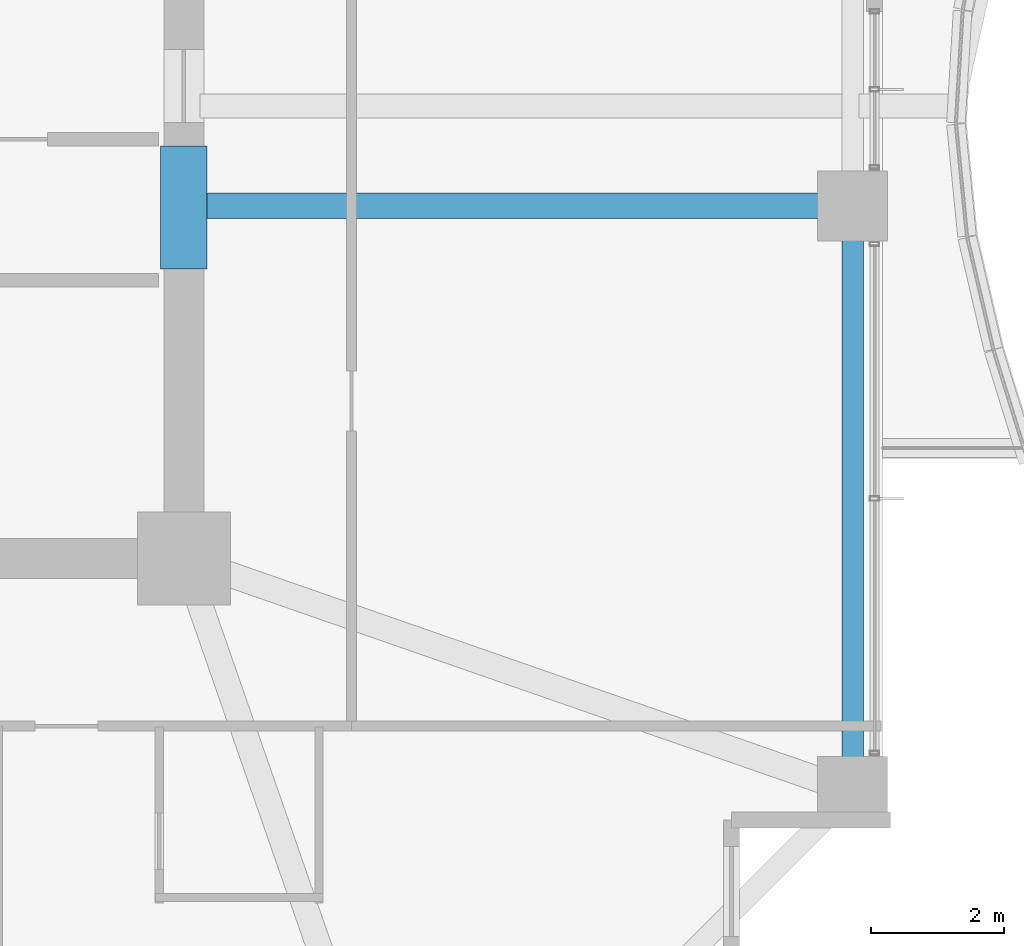
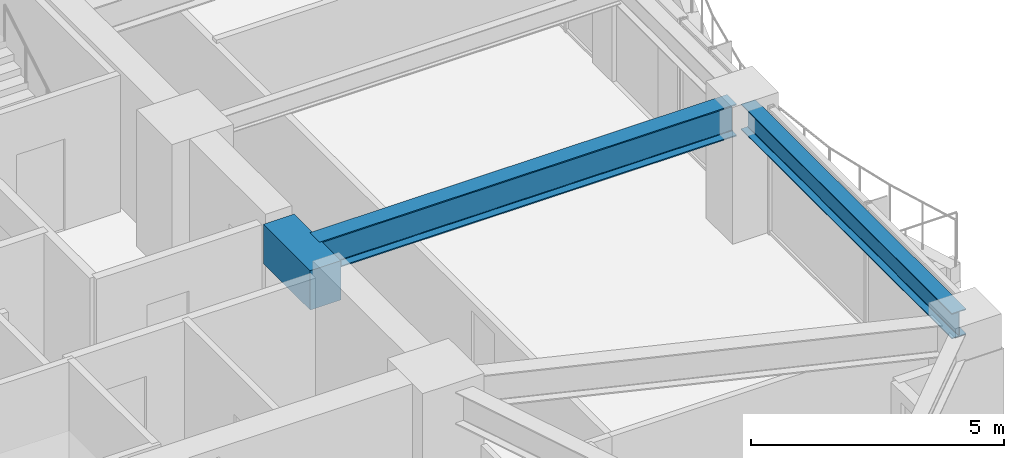
# One storey, part 14 of 36: 3 beams.
"""IFC4 building model written with IfcOpenShell, lengths in metres."""

from ifc_helpers import new_model, si_unit, direction, frame, origin, origin_2d, place, context, subcontext, project, spatial, rectangle, i_section, extrude, material, material_profile, profile_set, type_object, element, save


model = new_model("IFC4")

# Units and contexts
model_context = context("Model", 3, precision=1e-05, world=origin(), true_north=direction((0.0, 1.0)))
body_context = subcontext(model_context, "Body", "Model", "MODEL_VIEW")
ifc_project = project(units=[si_unit("LENGTHUNIT", "METRE"), si_unit("AREAUNIT", "SQUARE_METRE"), si_unit("VOLUMEUNIT", "CUBIC_METRE"), si_unit("PLANEANGLEUNIT", "RADIAN"), si_unit("MASSUNIT", "GRAM", prefix="KILO")], contexts=[model_context])

# Site, building, storey
site_placement = place(None, origin())
site = spatial("IfcSite", under=ifc_project, at=site_placement, CompositionType="ELEMENT")
building_placement = place(site_placement, origin())
building = spatial("IfcBuilding", under=site, at=building_placement, Name="Kolvaren Belvedere", CompositionType="ELEMENT")
storey_placement = place(building_placement, frame((0.0, 0.0, 92.0)))
storey = spatial("IfcBuildingStorey", under=building, at=storey_placement, Name="L26", CompositionType="ELEMENT", Elevation=92.0)

# Beams
ifc_material_1 = material(Name="Structural steel ASTM A992 Grade 50", Category="steel")
ifc_material_profile_1 = material_profile(ifc_material_1, i_section(OverallWidth=0.381103515625, OverallDepth=0.77294921875, WebThickness=0.0166015625, FlangeThickness=0.027099609375, FilletRadius=0.02392578125, at=origin_2d()), Name="W30X173")
ifc_profile_set_1 = profile_set([ifc_material_profile_1], Name="Structural steel ASTM A992 Grade 50")
beam_type_1 = type_object("IfcBeamType", Name="BM-GIRD-W30X173", PredefinedType="BEAM", material=ifc_profile_set_1)
beam_1_placement = place(storey_placement, frame((10.199951171875, -4.60009765625, 2.693603515625), z_axis=(1.0, 0.0, 0.0), x_axis=(0.0, 1.0, 0.0)))
element("IfcBeam", 1, at=beam_1_placement, inside=storey, type_object=beam_type_1, Name="L26 East Radial Girder M", PredefinedType="BEAM", context=body_context, shape_type="SweptSolid", body=[
    extrude(i_section(OverallWidth=0.381103515625, OverallDepth=0.77294921875, WebThickness=0.0166015625, FlangeThickness=0.027099609375, FilletRadius=0.02392578125, at=origin_2d()), origin(), (0.0, 0.0, 1.0), 9.513916015625),
])
ifc_material_2 = material(Name="Concrete C60/75", Category="concrete")
ifc_material_profile_2 = material_profile(ifc_material_2, rectangle(XDim=0.699951171875, YDim=0.949951171875, at=origin_2d()), Name="RC 700X950")
ifc_profile_set_2 = profile_set([ifc_material_profile_2], Name="Concrete C60/75")
beam_type_2 = type_object("IfcBeamType", Name="BM-LINT-950", PredefinedType="LINTEL", material=ifc_profile_set_2)
beam_2_placement = place(storey_placement, frame((9.89990234375, -5.550048828125, 2.60498046875), z_axis=(0.0, 1.0, 0.0), x_axis=(-1.0, 0.0, 0.0)))
element("IfcBeam", 2, at=beam_2_placement, inside=storey, type_object=beam_type_2, Name="L26 East Core Coupling Lintel", PredefinedType="LINTEL", context=body_context, shape_type="SweptSolid", body=[
    extrude(rectangle(XDim=0.699951171875, YDim=0.949951171875, at=origin_2d()), origin(), (0.0, 0.0, 1.0), 1.85009765625),
])
ifc_material_3 = material(Name="Structural steel ASTM A992 Grade 50", Category="steel")
ifc_material_profile_3 = material_profile(ifc_material_3, i_section(OverallWidth=0.324951171875, OverallDepth=0.615966796875, WebThickness=0.013916015625, FlangeThickness=0.021484375, FilletRadius=0.02001953125, at=origin_2d()), Name="W24X117")
ifc_profile_set_3 = profile_set([ifc_material_profile_3], Name="Structural steel ASTM A992 Grade 50")
beam_type_3 = type_object("IfcBeamType", Name="BM-SPAN-W24X117", PredefinedType="SPANDREL", material=ifc_profile_set_3)
beam_3_placement = place(storey_placement, frame((19.949951171875, -13.163818359375, 2.77197265625), z_axis=(0.0, 1.0, 0.0), x_axis=(-1.0, 0.0, 0.0)))
element("IfcBeam", 3, at=beam_3_placement, inside=storey, type_object=beam_type_3, Name="L26 Perimeter Spandrel E1-E2", PredefinedType="SPANDREL", context=body_context, shape_type="SweptSolid", body=[
    extrude(i_section(OverallWidth=0.324951171875, OverallDepth=0.615966796875, WebThickness=0.013916015625, FlangeThickness=0.021484375, FilletRadius=0.02001953125, at=origin_2d()), origin(), (0.0, 0.0, 1.0), 8.32763671875),
])

save(model, "model.ifc")
